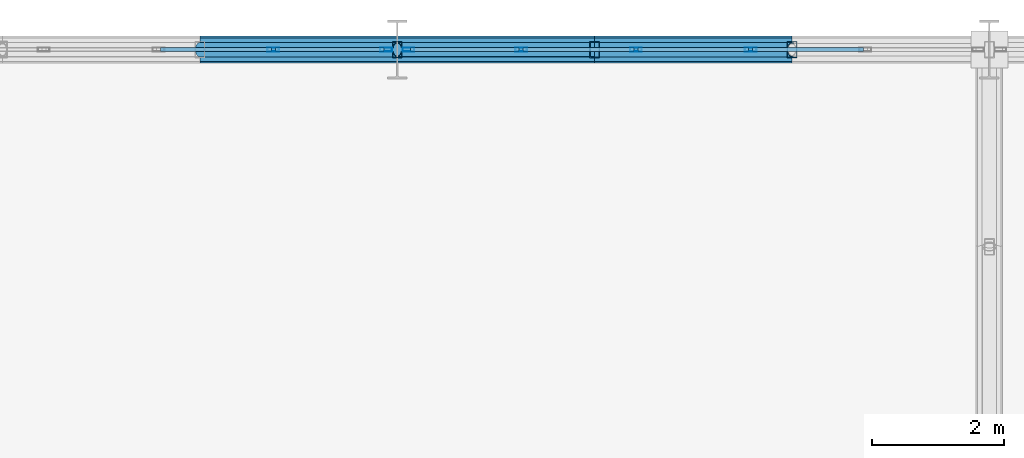
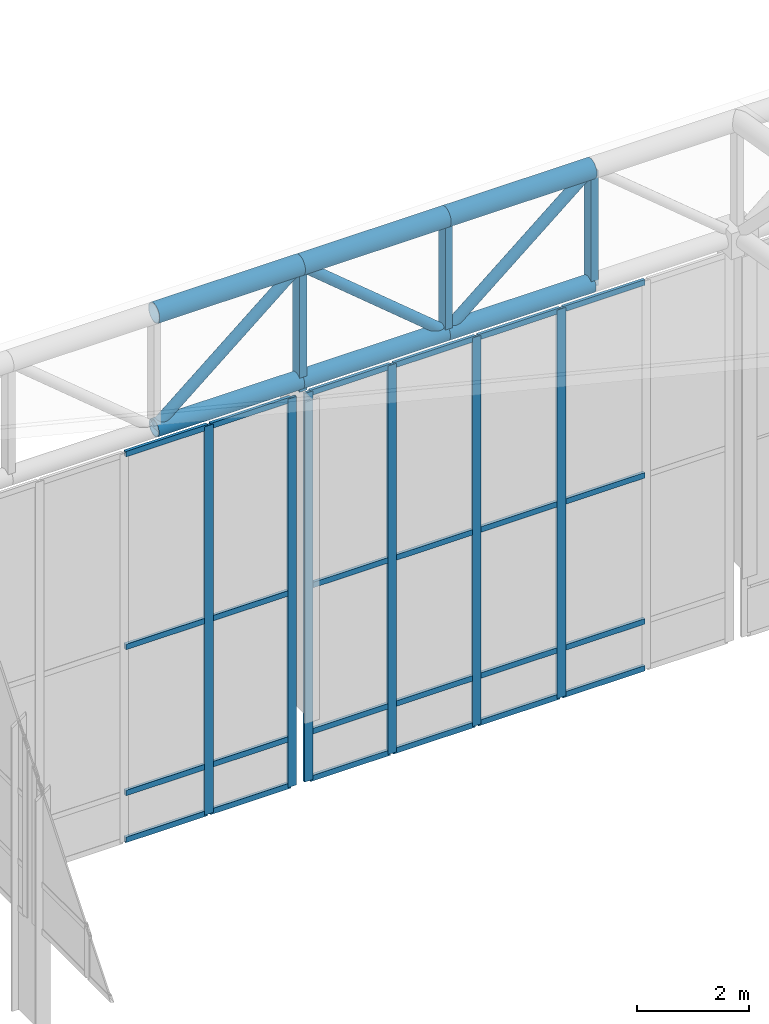
# One storey, part 103 of 239: 42 members, 2 elements without a shape of their own.
"""IFC4 building model written with IfcOpenShell, lengths in metres."""

import ifcopenshell
import ifcopenshell.guid

model = None  # the IFC model being written
_history = None  # IfcOwnerHistory: only IFC2X3 demands one
_inside = {}  # id of a spatial element -> (the spatial element, [elements in it])
_under = {}  # id of a project, library or spatial element -> (it, [spatial elements below it])
_declared = {}  # id of a project -> (the project, [libraries it declares])
_typed = {}  # id of a type object -> (the type object, [elements of that type])
_made_of = {}  # id of a material, layer set ... -> (it, [elements and type objects made of it])


def new_model(schema):
    """Start an empty IFC model of exactly this schema.

    Asked for "IFC4X3", IfcOpenShell would pick the latest addendum, in which some entities
    have other attributes; the version numbers below select the first issue.
    IFC2X3 requires an IfcOwnerHistory on every rooted entity: one is made here for all.
    """
    global model, _history
    if schema == "IFC4X3":
        model = ifcopenshell.file(schema_version=(4, 3, 0, 0))
    else:
        model = ifcopenshell.file(schema=schema)
    _inside.clear()
    _under.clear()
    _declared.clear()
    _typed.clear()
    _made_of.clear()
    _history = None
    if model.schema == "IFC2X3":
        org = make("IfcOrganization", Name="unknown")
        user = make(
            "IfcPersonAndOrganization",
            ThePerson=make("IfcPerson", FamilyName="unknown"),
            TheOrganization=org,
        )
        app = make(
            "IfcApplication",
            ApplicationDeveloper=org,
            Version="unknown",
            ApplicationFullName="unknown",
            ApplicationIdentifier="unknown",
        )
        _history = make(
            "IfcOwnerHistory",
            OwningUser=user,
            OwningApplication=app,
            ChangeAction="ADDED",
            CreationDate=0,
        )
    return model


def make(cls, **values):
    """One entity of the class cls with the attributes given. An attribute that is None is left unset."""
    return model.create_entity(
        cls, **{name: value for name, value in values.items() if value is not None}
    )


def rooted(cls, **values):
    """An entity with a GlobalId (a new one), such as an element, a storey or a relation."""
    return make(cls, GlobalId=ifcopenshell.guid.new(), OwnerHistory=_history, **values)


def si_unit(unit_type, name, prefix=None):
    """IfcSIUnit, for example si_unit("LENGTHUNIT", "METRE", prefix="MILLI")."""
    return make("IfcSIUnit", UnitType=unit_type, Prefix=prefix, Name=name)


def assignment(units):
    """IfcUnitAssignment: the units of a project."""
    return None if units is None else make("IfcUnitAssignment", Units=units)


def point(xyz):
    """IfcCartesianPoint."""
    return None if xyz is None else make("IfcCartesianPoint", Coordinates=xyz)


def direction(xyz):
    """IfcDirection."""
    return None if xyz is None else make("IfcDirection", DirectionRatios=xyz)


def frame(location, z_axis=None, x_axis=None):
    """IfcAxis2Placement3D, a coordinate frame: its origin and axes. An axis left out is left unset."""
    return make(
        "IfcAxis2Placement3D",
        Location=point(location),
        Axis=direction(z_axis),
        RefDirection=direction(x_axis),
    )


def frame_2d(location, x_axis=None):
    """IfcAxis2Placement2D, a coordinate frame in the plane: its origin and x axis."""
    return make(
        "IfcAxis2Placement2D", Location=point(location), RefDirection=direction(x_axis)
    )


def origin():
    """The frame at (0, 0, 0) with its axes left unset."""
    return frame((0.0, 0.0, 0.0))


def origin_2d():
    """The frame at (0, 0) in the plane with its x axis left unset."""
    return frame_2d((0.0, 0.0))


def place(relative_to, where):
    """IfcLocalPlacement: puts the frame where relative to a parent placement (None: the world)."""
    return make(
        "IfcLocalPlacement", PlacementRelTo=relative_to, RelativePlacement=where
    )


def context(
    kind, dimensions, precision=None, world=None, true_north=None, identifier=None
):
    """IfcGeometricRepresentationContext, for example the 3D "Model" context."""
    return make(
        "IfcGeometricRepresentationContext",
        ContextIdentifier=identifier,
        ContextType=kind,
        CoordinateSpaceDimension=dimensions,
        Precision=precision,
        WorldCoordinateSystem=world,
        TrueNorth=true_north,
    )


def subcontext(parent, identifier, kind, view, scale=None):
    """IfcGeometricRepresentationSubContext, for example "Body" below "Model"."""
    return make(
        "IfcGeometricRepresentationSubContext",
        ContextIdentifier=identifier,
        ContextType=kind,
        ParentContext=parent,
        TargetScale=scale,
        TargetView=view,
    )


def project(units=None, contexts=None):
    """IfcProject with its units and contexts."""
    return rooted(
        "IfcProject",
        Name="project",
        RepresentationContexts=contexts,
        UnitsInContext=assignment(units),
    )


def spatial(cls, under=None, at=None, **own):
    """A site, building, storey or space (cls), placed at a placement, below another one or the project."""
    s = rooted(cls, ObjectPlacement=at, **own)
    if under is not None:
        _under.setdefault(under.id(), (under, []))[1].append(s)
    return s


def profile(cls, at=None, kind="AREA", **sizes):
    """A parametric profile (cls). Its sizes go by their IFC names, for example OverallWidth=200.0."""
    return make(cls, ProfileType=kind, Position=at, **sizes)


def hollow_rectangle(**sizes):
    """IfcRectangleHollowProfileDef."""
    return profile("IfcRectangleHollowProfileDef", **sizes)


def hollow_circle(**sizes):
    """IfcCircleHollowProfileDef."""
    return profile("IfcCircleHollowProfileDef", **sizes)


def extrude(swept, where, along, depth):
    """IfcExtrudedAreaSolid: the profile swept, set in the frame where, extruded along a direction by depth."""
    return make(
        "IfcExtrudedAreaSolid",
        SweptArea=swept,
        Position=where,
        ExtrudedDirection=direction(along),
        Depth=depth,
    )


def shape(context_of_items, identifier, shape_type, items):
    """IfcShapeRepresentation: the items that make up one representation, for example the "Body"."""
    return make(
        "IfcShapeRepresentation",
        ContextOfItems=context_of_items,
        RepresentationIdentifier=identifier,
        RepresentationType=shape_type,
        Items=items,
    )


def material(Name=None, Category=None):
    """IfcMaterial."""
    return make("IfcMaterial", Name=Name, Category=Category)


def material_profile(
    of_material, cross_section, Name=None, Category=None, Priority=None
):
    """IfcMaterialProfile: a cross section and its material."""
    return make(
        "IfcMaterialProfile",
        Name=Name,
        Material=of_material,
        Profile=cross_section,
        Priority=Priority,
        Category=Category,
    )


def profile_set(profiles, Name=None, composite=None):
    """IfcMaterialProfileSet."""
    return make(
        "IfcMaterialProfileSet",
        Name=Name,
        MaterialProfiles=profiles,
        CompositeProfile=composite,
    )


def made_of(thing, what):
    """Note that an element or type object is made of a material, layer set ...; save() writes the relation."""
    if what is not None:
        _made_of.setdefault(what.id(), (what, []))[1].append(thing)
    return thing


def type_object(cls, material=None, **own):
    """A type object (cls), such as IfcWallType, which elements share."""
    return made_of(rooted(cls, **own), material)


def element(
    cls,
    number,
    at=None,
    inside=None,
    cuts=None,
    type_object=None,
    material=None,
    context=None,
    identifier="Body",
    shape_type=None,
    held_by="IfcProductDefinitionShape",
    body=None,
    shapes=None,
    **own,
):
    """One element of the class cls, such as IfcWall. Its Tag is "e" and its number.

    at: its placement. inside: the storey or other place that contains it. cuts: it is an
    opening in that element (IfcRelVoidsElement). A single representation is given by context,
    identifier, shape_type and body (its items); several are given by shapes. held_by: the class
    of the entity that holds the representations. save() writes the other relations.
    """
    e = rooted(cls, Tag="e%d" % number, ObjectPlacement=at, **own)
    if body is not None:
        shapes = [shape(context, identifier, shape_type, body)]
    if shapes is not None:
        e.Representation = make(held_by, Representations=shapes)
    if inside is not None:
        _inside.setdefault(inside.id(), (inside, []))[1].append(e)
    if cuts is not None:
        rooted(
            "IfcRelVoidsElement", RelatingBuildingElement=cuts, RelatedOpeningElement=e
        )
    if type_object is not None:
        _typed.setdefault(type_object.id(), (type_object, []))[1].append(e)
    return made_of(e, material)


def aggregate(whole, parts):
    """IfcRelAggregates: a whole, such as a stair, and the parts it consists of."""
    return rooted("IfcRelAggregates", RelatingObject=whole, RelatedObjects=parts)


def save(model, path):
    """Write the relations noted so far, then the file.

    IfcRelAggregates (storeys below a building ...), IfcRelContainedInSpatialStructure (elements
    in a storey), IfcRelDefinesByType, IfcRelAssociatesMaterial and IfcRelDeclares: one each for
    every whole, place, type object, material and project.
    """
    for whole, parts in _under.values():
        aggregate(whole, parts)
    for where, things in _inside.values():
        rooted(
            "IfcRelContainedInSpatialStructure",
            RelatedElements=things,
            RelatingStructure=where,
        )
    for kind, things in _typed.values():
        rooted("IfcRelDefinesByType", RelatedObjects=things, RelatingType=kind)
    for what, things in _made_of.values():
        rooted("IfcRelAssociatesMaterial", RelatedObjects=things, RelatingMaterial=what)
    for by, libraries in _declared.values():
        rooted("IfcRelDeclares", RelatingContext=by, RelatedDefinitions=libraries)
    model.write(path)


model = new_model("IFC4")

# Units and contexts
model_context = context("Model", 3, precision=1e-05, world=origin(), true_north=direction((0.0, 1.0)))
body_context = subcontext(model_context, "Body", "Model", "MODEL_VIEW")
ifc_project = project(units=[si_unit("LENGTHUNIT", "METRE"), si_unit("AREAUNIT", "SQUARE_METRE"), si_unit("VOLUMEUNIT", "CUBIC_METRE"), si_unit("PLANEANGLEUNIT", "RADIAN"), si_unit("MASSUNIT", "GRAM", prefix="KILO")], contexts=[model_context])

# Site, building, storey
site_placement = place(None, origin())
site = spatial("IfcSite", under=ifc_project, at=site_placement, CompositionType="ELEMENT")
building_placement = place(site_placement, origin())
building = spatial("IfcBuilding", under=site, at=building_placement, Name="Kaldris Quays Convention Centre", CompositionType="ELEMENT")
storey_placement = place(building_placement, frame((0.0, 0.0, 11.39990234375)))
storey = spatial("IfcBuildingStorey", under=building, at=storey_placement, Name="L02", CompositionType="ELEMENT", Elevation=11.39990234375)

# Curtain wall, members
ifc_material_1 = material(Name="Anodized aluminium AW-6060 and triple glazing", Category="aluminium")
curtain_wall_type = type_object("IfcCurtainWallType", Name="UNITISED CURTAIN WALL CW03", PredefinedType="NOTDEFINED", material=ifc_material_1)
curtain_wall_1_placement = place(storey_placement, origin())
curtain_wall_1 = element("IfcCurtainWall", 1, at=curtain_wall_1_placement, inside=storey, type_object=curtain_wall_type, Name="L02 Unitised Curtain Wall CW03 228", PredefinedType="NOTDEFINED")
ifc_material_2 = material(Name="Anodized aluminium AW-6060", Category="aluminium")
ifc_material_profile_1 = material_profile(ifc_material_2, hollow_rectangle(XDim=0.06005859375, YDim=0.179931640625, WallThickness=0.0048828125, at=origin_2d()), Name="RHS 180x60x5")
ifc_profile_set_1 = profile_set([ifc_material_profile_1], Name="Anodized aluminium AW-6060")
member_type_1 = type_object("IfcMemberType", Name="CURTAIN MULLION CWM2", PredefinedType="MULLION", material=ifc_profile_set_1)
member_1_placement = place(storey_placement, frame((27.115966796875, 140.0, -1.60498046875), z_axis=(0.0, 0.0, 1.0), x_axis=(0.0, 1.0, 0.0)))
member_1 = element("IfcMember", 2, at=member_1_placement, type_object=member_type_1, Name="CW03 mullion 5", PredefinedType="MULLION", context=body_context, shape_type="SweptSolid", body=[
    extrude(hollow_rectangle(XDim=0.06005859375, YDim=0.179931640625, WallThickness=0.0048828125, at=origin_2d()), origin(), (0.0, 0.0, 1.0), 8.455078125),
])
member_2_placement = place(storey_placement, frame((28.830078125, 140.0, -1.60498046875), z_axis=(0.0, 0.0, 1.0), x_axis=(0.0, 1.0, 0.0)))
member_2 = element("IfcMember", 3, at=member_2_placement, type_object=member_type_1, Name="CW03 mullion 6", PredefinedType="MULLION", context=body_context, shape_type="SweptSolid", body=[
    extrude(hollow_rectangle(XDim=0.06005859375, YDim=0.179931640625, WallThickness=0.0048828125, at=origin_2d()), origin(), (0.0, 0.0, 1.0), 8.455078125),
])

curtain_wall_2_placement = place(storey_placement, origin())
curtain_wall_2 = element("IfcCurtainWall", 4, at=curtain_wall_2_placement, inside=storey, type_object=curtain_wall_type, Name="L02 Unitised Curtain Wall CW03 230", PredefinedType="NOTDEFINED")
member_3_placement = place(storey_placement, frame((29.169921875, 140.0, -1.60498046875), z_axis=(0.0, 0.0, 1.0), x_axis=(0.0, 1.0, 0.0)))
member_3 = element("IfcMember", 5, at=member_3_placement, type_object=member_type_1, Name="CW03 mullion 1", PredefinedType="MULLION", context=body_context, shape_type="SweptSolid", body=[
    extrude(hollow_rectangle(XDim=0.06005859375, YDim=0.179931640625, WallThickness=0.0048828125, at=origin_2d()), origin(), (0.0, 0.0, 1.0), 8.455078125),
])
member_4_placement = place(storey_placement, frame((30.884033203125, 140.0, -1.60498046875), z_axis=(0.0, 0.0, 1.0), x_axis=(0.0, 1.0, 0.0)))
member_4 = element("IfcMember", 6, at=member_4_placement, type_object=member_type_1, Name="CW03 mullion 2", PredefinedType="MULLION", context=body_context, shape_type="SweptSolid", body=[
    extrude(hollow_rectangle(XDim=0.06005859375, YDim=0.179931640625, WallThickness=0.0048828125, at=origin_2d()), origin(), (0.0, 0.0, 1.0), 8.455078125),
])
member_5_placement = place(storey_placement, frame((32.6279296875, 140.0, -1.60498046875), z_axis=(0.0, 0.0, 1.0), x_axis=(0.0, 1.0, 0.0)))
member_5 = element("IfcMember", 7, at=member_5_placement, type_object=member_type_1, Name="CW03 mullion 3", PredefinedType="MULLION", context=body_context, shape_type="SweptSolid", body=[
    extrude(hollow_rectangle(XDim=0.06005859375, YDim=0.179931640625, WallThickness=0.0048828125, at=origin_2d()), origin(), (0.0, 0.0, 1.0), 8.455078125),
])
member_6_placement = place(storey_placement, frame((34.3720703125, 140.0, -1.60498046875), z_axis=(0.0, 0.0, 1.0), x_axis=(0.0, 1.0, 0.0)))
member_6 = element("IfcMember", 8, at=member_6_placement, type_object=member_type_1, Name="CW03 mullion 4", PredefinedType="MULLION", context=body_context, shape_type="SweptSolid", body=[
    extrude(hollow_rectangle(XDim=0.06005859375, YDim=0.179931640625, WallThickness=0.0048828125, at=origin_2d()), origin(), (0.0, 0.0, 1.0), 8.455078125),
])

# Member
ifc_material_profile_2 = material_profile(ifc_material_2, hollow_rectangle(XDim=0.06005859375, YDim=0.1201171875, WallThickness=0.00390625, at=origin_2d()), Name="RHS 120x60x4")
ifc_profile_set_2 = profile_set([ifc_material_profile_2], Name="Anodized aluminium AW-6060")
member_type_2 = type_object("IfcMemberType", Name="CURTAIN TRANSOM CWT1", PredefinedType="USERDEFINED", material=ifc_profile_set_2)
member_7_placement = place(storey_placement, frame((25.402099609375, 140.0, -1.574951171875), z_axis=(1.0, 0.0, 0.0), x_axis=(0.0, 1.0, 0.0)))
member_7 = element("IfcMember", 9, at=member_7_placement, type_object=member_type_2, Name="CW03 transom 4.1", ObjectType="TRANSOM", PredefinedType="USERDEFINED", context=body_context, shape_type="SweptSolid", body=[
    extrude(hollow_rectangle(XDim=0.06005859375, YDim=0.1201171875, WallThickness=0.00390625, at=origin_2d()), origin(), (0.0, 0.0, 1.0), 1.683837890625),
])

member_8_placement = place(storey_placement, frame((25.402099609375, 140.0, -0.554931640625), z_axis=(1.0, 0.0, 0.0), x_axis=(0.0, 1.0, 0.0)))
member_8 = element("IfcMember", 10, at=member_8_placement, type_object=member_type_2, Name="CW03 transom 4.2", ObjectType="TRANSOM", PredefinedType="USERDEFINED", context=body_context, shape_type="SweptSolid", body=[
    extrude(hollow_rectangle(XDim=0.06005859375, YDim=0.1201171875, WallThickness=0.00390625, at=origin_2d()), origin(), (0.0, 0.0, 1.0), 1.683837890625),
])

member_9_placement = place(storey_placement, frame((25.402099609375, 140.0, 2.623046875), z_axis=(1.0, 0.0, 0.0), x_axis=(0.0, 1.0, 0.0)))
member_9 = element("IfcMember", 11, at=member_9_placement, type_object=member_type_2, Name="CW03 transom 4.3", ObjectType="TRANSOM", PredefinedType="USERDEFINED", context=body_context, shape_type="SweptSolid", body=[
    extrude(hollow_rectangle(XDim=0.06005859375, YDim=0.1201171875, WallThickness=0.00390625, at=origin_2d()), origin(), (0.0, 0.0, 1.0), 1.683837890625),
])

member_10_placement = place(storey_placement, frame((25.402099609375, 140.0, 6.820068359375), z_axis=(1.0, 0.0, 0.0), x_axis=(0.0, 1.0, 0.0)))
member_10 = element("IfcMember", 12, at=member_10_placement, type_object=member_type_2, Name="CW03 transom 4.4", ObjectType="TRANSOM", PredefinedType="USERDEFINED", context=body_context, shape_type="SweptSolid", body=[
    extrude(hollow_rectangle(XDim=0.06005859375, YDim=0.1201171875, WallThickness=0.00390625, at=origin_2d()), origin(), (0.0, 0.0, 1.0), 1.683837890625),
])

member_11_placement = place(storey_placement, frame((27.14599609375, 140.0, -1.574951171875), z_axis=(1.0, 0.0, 0.0), x_axis=(0.0, 1.0, 0.0)))
member_11 = element("IfcMember", 13, at=member_11_placement, type_object=member_type_2, Name="CW03 transom 5.1", ObjectType="TRANSOM", PredefinedType="USERDEFINED", context=body_context, shape_type="SweptSolid", body=[
    extrude(hollow_rectangle(XDim=0.06005859375, YDim=0.1201171875, WallThickness=0.00390625, at=origin_2d()), origin(), (0.0, 0.0, 1.0), 1.654052734375),
])

member_12_placement = place(storey_placement, frame((27.14599609375, 140.0, -0.554931640625), z_axis=(1.0, 0.0, 0.0), x_axis=(0.0, 1.0, 0.0)))
member_12 = element("IfcMember", 14, at=member_12_placement, type_object=member_type_2, Name="CW03 transom 5.2", ObjectType="TRANSOM", PredefinedType="USERDEFINED", context=body_context, shape_type="SweptSolid", body=[
    extrude(hollow_rectangle(XDim=0.06005859375, YDim=0.1201171875, WallThickness=0.00390625, at=origin_2d()), origin(), (0.0, 0.0, 1.0), 1.654052734375),
])

member_13_placement = place(storey_placement, frame((27.14599609375, 140.0, 2.623046875), z_axis=(1.0, 0.0, 0.0), x_axis=(0.0, 1.0, 0.0)))
member_13 = element("IfcMember", 15, at=member_13_placement, type_object=member_type_2, Name="CW03 transom 5.3", ObjectType="TRANSOM", PredefinedType="USERDEFINED", context=body_context, shape_type="SweptSolid", body=[
    extrude(hollow_rectangle(XDim=0.06005859375, YDim=0.1201171875, WallThickness=0.00390625, at=origin_2d()), origin(), (0.0, 0.0, 1.0), 1.654052734375),
])

member_14_placement = place(storey_placement, frame((27.14599609375, 140.0, 6.820068359375), z_axis=(1.0, 0.0, 0.0), x_axis=(0.0, 1.0, 0.0)))
member_14 = element("IfcMember", 16, at=member_14_placement, type_object=member_type_2, Name="CW03 transom 5.4", ObjectType="TRANSOM", PredefinedType="USERDEFINED", context=body_context, shape_type="SweptSolid", body=[
    extrude(hollow_rectangle(XDim=0.06005859375, YDim=0.1201171875, WallThickness=0.00390625, at=origin_2d()), origin(), (0.0, 0.0, 1.0), 1.654052734375),
])

aggregate(curtain_wall_1, [member_1, member_2, member_7, member_8, member_9, member_10, member_11, member_12, member_13, member_14])

member_15_placement = place(storey_placement, frame((29.199951171875, 140.0, -1.574951171875), z_axis=(1.0, 0.0, 0.0), x_axis=(0.0, 1.0, 0.0)))
member_15 = element("IfcMember", 17, at=member_15_placement, type_object=member_type_2, Name="CW03 transom 1.1", ObjectType="TRANSOM", PredefinedType="USERDEFINED", context=body_context, shape_type="SweptSolid", body=[
    extrude(hollow_rectangle(XDim=0.06005859375, YDim=0.1201171875, WallThickness=0.00390625, at=origin_2d()), origin(), (0.0, 0.0, 1.0), 1.654052734375),
])

member_16_placement = place(storey_placement, frame((29.199951171875, 140.0, -0.554931640625), z_axis=(1.0, 0.0, 0.0), x_axis=(0.0, 1.0, 0.0)))
member_16 = element("IfcMember", 18, at=member_16_placement, type_object=member_type_2, Name="CW03 transom 1.2", ObjectType="TRANSOM", PredefinedType="USERDEFINED", context=body_context, shape_type="SweptSolid", body=[
    extrude(hollow_rectangle(XDim=0.06005859375, YDim=0.1201171875, WallThickness=0.00390625, at=origin_2d()), origin(), (0.0, 0.0, 1.0), 1.654052734375),
])

member_17_placement = place(storey_placement, frame((29.199951171875, 140.0, 2.623046875), z_axis=(1.0, 0.0, 0.0), x_axis=(0.0, 1.0, 0.0)))
member_17 = element("IfcMember", 19, at=member_17_placement, type_object=member_type_2, Name="CW03 transom 1.3", ObjectType="TRANSOM", PredefinedType="USERDEFINED", context=body_context, shape_type="SweptSolid", body=[
    extrude(hollow_rectangle(XDim=0.06005859375, YDim=0.1201171875, WallThickness=0.00390625, at=origin_2d()), origin(), (0.0, 0.0, 1.0), 1.654052734375),
])

member_18_placement = place(storey_placement, frame((29.199951171875, 140.0, 6.820068359375), z_axis=(1.0, 0.0, 0.0), x_axis=(0.0, 1.0, 0.0)))
member_18 = element("IfcMember", 20, at=member_18_placement, type_object=member_type_2, Name="CW03 transom 1.4", ObjectType="TRANSOM", PredefinedType="USERDEFINED", context=body_context, shape_type="SweptSolid", body=[
    extrude(hollow_rectangle(XDim=0.06005859375, YDim=0.1201171875, WallThickness=0.00390625, at=origin_2d()), origin(), (0.0, 0.0, 1.0), 1.654052734375),
])

member_19_placement = place(storey_placement, frame((30.9140625, 140.0, -1.574951171875), z_axis=(1.0, 0.0, 0.0), x_axis=(0.0, 1.0, 0.0)))
member_19 = element("IfcMember", 21, at=member_19_placement, type_object=member_type_2, Name="CW03 transom 2.1", ObjectType="TRANSOM", PredefinedType="USERDEFINED", context=body_context, shape_type="SweptSolid", body=[
    extrude(hollow_rectangle(XDim=0.06005859375, YDim=0.1201171875, WallThickness=0.00390625, at=origin_2d()), origin(), (0.0, 0.0, 1.0), 1.683837890625),
])

member_20_placement = place(storey_placement, frame((30.9140625, 140.0, -0.554931640625), z_axis=(1.0, 0.0, 0.0), x_axis=(0.0, 1.0, 0.0)))
member_20 = element("IfcMember", 22, at=member_20_placement, type_object=member_type_2, Name="CW03 transom 2.2", ObjectType="TRANSOM", PredefinedType="USERDEFINED", context=body_context, shape_type="SweptSolid", body=[
    extrude(hollow_rectangle(XDim=0.06005859375, YDim=0.1201171875, WallThickness=0.00390625, at=origin_2d()), origin(), (0.0, 0.0, 1.0), 1.683837890625),
])

member_21_placement = place(storey_placement, frame((30.9140625, 140.0, 2.623046875), z_axis=(1.0, 0.0, 0.0), x_axis=(0.0, 1.0, 0.0)))
member_21 = element("IfcMember", 23, at=member_21_placement, type_object=member_type_2, Name="CW03 transom 2.3", ObjectType="TRANSOM", PredefinedType="USERDEFINED", context=body_context, shape_type="SweptSolid", body=[
    extrude(hollow_rectangle(XDim=0.06005859375, YDim=0.1201171875, WallThickness=0.00390625, at=origin_2d()), origin(), (0.0, 0.0, 1.0), 1.683837890625),
])

member_22_placement = place(storey_placement, frame((30.9140625, 140.0, 6.820068359375), z_axis=(1.0, 0.0, 0.0), x_axis=(0.0, 1.0, 0.0)))
member_22 = element("IfcMember", 24, at=member_22_placement, type_object=member_type_2, Name="CW03 transom 2.4", ObjectType="TRANSOM", PredefinedType="USERDEFINED", context=body_context, shape_type="SweptSolid", body=[
    extrude(hollow_rectangle(XDim=0.06005859375, YDim=0.1201171875, WallThickness=0.00390625, at=origin_2d()), origin(), (0.0, 0.0, 1.0), 1.683837890625),
])

member_23_placement = place(storey_placement, frame((32.657958984375, 140.0, -1.574951171875), z_axis=(1.0, 0.0, 0.0), x_axis=(0.0, 1.0, 0.0)))
member_23 = element("IfcMember", 25, at=member_23_placement, type_object=member_type_2, Name="CW03 transom 3.1", ObjectType="TRANSOM", PredefinedType="USERDEFINED", context=body_context, shape_type="SweptSolid", body=[
    extrude(hollow_rectangle(XDim=0.06005859375, YDim=0.1201171875, WallThickness=0.00390625, at=origin_2d()), origin(), (0.0, 0.0, 1.0), 1.68408203125),
])

member_24_placement = place(storey_placement, frame((32.657958984375, 140.0, -0.554931640625), z_axis=(1.0, 0.0, 0.0), x_axis=(0.0, 1.0, 0.0)))
member_24 = element("IfcMember", 26, at=member_24_placement, type_object=member_type_2, Name="CW03 transom 3.2", ObjectType="TRANSOM", PredefinedType="USERDEFINED", context=body_context, shape_type="SweptSolid", body=[
    extrude(hollow_rectangle(XDim=0.06005859375, YDim=0.1201171875, WallThickness=0.00390625, at=origin_2d()), origin(), (0.0, 0.0, 1.0), 1.68408203125),
])

member_25_placement = place(storey_placement, frame((32.657958984375, 140.0, 2.623046875), z_axis=(1.0, 0.0, 0.0), x_axis=(0.0, 1.0, 0.0)))
member_25 = element("IfcMember", 27, at=member_25_placement, type_object=member_type_2, Name="CW03 transom 3.3", ObjectType="TRANSOM", PredefinedType="USERDEFINED", context=body_context, shape_type="SweptSolid", body=[
    extrude(hollow_rectangle(XDim=0.06005859375, YDim=0.1201171875, WallThickness=0.00390625, at=origin_2d()), origin(), (0.0, 0.0, 1.0), 1.68408203125),
])

member_26_placement = place(storey_placement, frame((32.657958984375, 140.0, 6.820068359375), z_axis=(1.0, 0.0, 0.0), x_axis=(0.0, 1.0, 0.0)))
member_26 = element("IfcMember", 28, at=member_26_placement, type_object=member_type_2, Name="CW03 transom 3.4", ObjectType="TRANSOM", PredefinedType="USERDEFINED", context=body_context, shape_type="SweptSolid", body=[
    extrude(hollow_rectangle(XDim=0.06005859375, YDim=0.1201171875, WallThickness=0.00390625, at=origin_2d()), origin(), (0.0, 0.0, 1.0), 1.68408203125),
])

member_27_placement = place(storey_placement, frame((34.402099609375, 140.0, -1.574951171875), z_axis=(1.0, 0.0, 0.0), x_axis=(0.0, 1.0, 0.0)))
member_27 = element("IfcMember", 29, at=member_27_placement, type_object=member_type_2, Name="CW03 transom 4.1", ObjectType="TRANSOM", PredefinedType="USERDEFINED", context=body_context, shape_type="SweptSolid", body=[
    extrude(hollow_rectangle(XDim=0.06005859375, YDim=0.1201171875, WallThickness=0.00390625, at=origin_2d()), origin(), (0.0, 0.0, 1.0), 1.683837890625),
])

member_28_placement = place(storey_placement, frame((34.402099609375, 140.0, -0.554931640625), z_axis=(1.0, 0.0, 0.0), x_axis=(0.0, 1.0, 0.0)))
member_28 = element("IfcMember", 30, at=member_28_placement, type_object=member_type_2, Name="CW03 transom 4.2", ObjectType="TRANSOM", PredefinedType="USERDEFINED", context=body_context, shape_type="SweptSolid", body=[
    extrude(hollow_rectangle(XDim=0.06005859375, YDim=0.1201171875, WallThickness=0.00390625, at=origin_2d()), origin(), (0.0, 0.0, 1.0), 1.683837890625),
])

member_29_placement = place(storey_placement, frame((34.402099609375, 140.0, 2.623046875), z_axis=(1.0, 0.0, 0.0), x_axis=(0.0, 1.0, 0.0)))
member_29 = element("IfcMember", 31, at=member_29_placement, type_object=member_type_2, Name="CW03 transom 4.3", ObjectType="TRANSOM", PredefinedType="USERDEFINED", context=body_context, shape_type="SweptSolid", body=[
    extrude(hollow_rectangle(XDim=0.06005859375, YDim=0.1201171875, WallThickness=0.00390625, at=origin_2d()), origin(), (0.0, 0.0, 1.0), 1.683837890625),
])

member_30_placement = place(storey_placement, frame((34.402099609375, 140.0, 6.820068359375), z_axis=(1.0, 0.0, 0.0), x_axis=(0.0, 1.0, 0.0)))
member_30 = element("IfcMember", 32, at=member_30_placement, type_object=member_type_2, Name="CW03 transom 4.4", ObjectType="TRANSOM", PredefinedType="USERDEFINED", context=body_context, shape_type="SweptSolid", body=[
    extrude(hollow_rectangle(XDim=0.06005859375, YDim=0.1201171875, WallThickness=0.00390625, at=origin_2d()), origin(), (0.0, 0.0, 1.0), 1.683837890625),
])

aggregate(curtain_wall_2, [member_3, member_4, member_5, member_6, member_15, member_16, member_17, member_18, member_19, member_20, member_21, member_22, member_23, member_24, member_25, member_26, member_27, member_28, member_29, member_30])

# Members
ifc_material_3 = material(Name="Steel S355J2H", Category="steel")
ifc_material_profile_3 = material_profile(ifc_material_3, hollow_circle(Radius=0.203125, WallThickness=0.01611328125, at=origin_2d()), Name="CHS 406.4x16")
ifc_profile_set_3 = profile_set([ifc_material_profile_3], Name="Steel S355J2H")
member_type_3 = type_object("IfcMemberType", Name="STRUCTURAL MEMBER SC01", PredefinedType="CHORD", material=ifc_profile_set_3)
for number, where, z_axis, x_axis, name in (
    (33, (26.0, 140.0, 9.671875), (1.0, 0.0, 0.0), (0.0, 1.0, 0.0), "SF-V1 Top Chord X 297"),
    (34, (29.0, 140.0, 9.671875), (1.0, 0.0, 0.0), (0.0, 1.0, 0.0), "SF-V1 Top Chord X 298"),
    (35, (32.0, 140.0, 9.671875), (1.0, 0.0, 0.0), (0.0, 1.0, 0.0), "SF-V1 Top Chord X 299"),
):
    element("IfcMember", number, at=place(storey_placement, frame(where, z_axis=z_axis, x_axis=x_axis)), inside=storey, type_object=member_type_3, Name=name, PredefinedType="CHORD", context=body_context, shape_type="SweptSolid", body=[
        extrude(hollow_circle(Radius=0.203125, WallThickness=0.01611328125, at=origin_2d()), origin(), (0.0, 0.0, 1.0), 3.0),
    ])
ifc_material_profile_4 = material_profile(ifc_material_3, hollow_circle(Radius=0.177734375, WallThickness=0.01611328125, at=origin_2d()), Name="CHS 355.6x16")
ifc_profile_set_4 = profile_set([ifc_material_profile_4], Name="Steel S355J2H")
member_type_4 = type_object("IfcMemberType", Name="STRUCTURAL MEMBER SC02", PredefinedType="CHORD", material=ifc_profile_set_4)
for number, where, z_axis, x_axis, name in (
    (36, (26.0, 140.0, 7.171875), (1.0, 0.0, 0.0), (0.0, 1.0, 0.0), "SF-V1 Bottom Chord X 297"),
    (37, (29.0, 140.0, 7.171875), (1.0, 0.0, 0.0), (0.0, 1.0, 0.0), "SF-V1 Bottom Chord X 298"),
    (38, (32.0, 140.0, 7.171875), (1.0, 0.0, 0.0), (0.0, 1.0, 0.0), "SF-V1 Bottom Chord X 299"),
):
    element("IfcMember", number, at=place(storey_placement, frame(where, z_axis=z_axis, x_axis=x_axis)), inside=storey, type_object=member_type_4, Name=name, PredefinedType="CHORD", context=body_context, shape_type="SweptSolid", body=[
        extrude(hollow_circle(Radius=0.177734375, WallThickness=0.01611328125, at=origin_2d()), origin(), (0.0, 0.0, 1.0), 3.0),
    ])
ifc_material_profile_5 = material_profile(ifc_material_3, hollow_circle(Radius=0.109619140625, WallThickness=0.010009765625, at=origin_2d()), Name="CHS 219.1x10")
ifc_profile_set_5 = profile_set([ifc_material_profile_5], Name="Steel S355J2H")
member_type_5 = type_object("IfcMemberType", Name="STRUCTURAL MEMBER SWB1", PredefinedType="BRACE", material=ifc_profile_set_5)
for number, where, z_axis, x_axis, name in (
    (39, (26.0, 140.0, 7.171875), (0.768221279597, 0.0, 0.640184399664), (0.0, 1.0, 0.0), "SF-V1 Web Diagonal X 297"),
    (40, (32.0, 140.0, 7.171875), (-0.768221279597, 0.0, 0.640184399664), (0.0, -1.0, 0.0), "SF-V1 Web Diagonal X 298"),
    (41, (32.0, 140.0, 7.171875), (0.768221279597, 0.0, 0.640184399664), (0.0, 1.0, 0.0), "SF-V1 Web Diagonal X 299"),
):
    element("IfcMember", number, at=place(storey_placement, frame(where, z_axis=z_axis, x_axis=x_axis)), inside=storey, type_object=member_type_5, Name=name, PredefinedType="BRACE", context=body_context, shape_type="SweptSolid", body=[
        extrude(hollow_circle(Radius=0.109619140625, WallThickness=0.010009765625, at=origin_2d()), origin(), (0.0, 0.0, 1.0), 3.905029296875),
    ])
ifc_material_profile_6 = material_profile(ifc_material_3, hollow_rectangle(XDim=0.14990234375, YDim=0.25, WallThickness=0.010009765625, at=origin_2d()), Name="RHS 250x150x10")
ifc_profile_set_6 = profile_set([ifc_material_profile_6], Name="Steel S355J2H")
member_type_6 = type_object("IfcMemberType", Name="STRUCTURAL MEMBER TTV1", PredefinedType="POST", material=ifc_profile_set_6)
member_31_placement = place(storey_placement, frame((29.0, 140.0, 6.994140625), z_axis=(0.0, 0.0, 1.0), x_axis=(1.0, 0.0, 0.0)))
element("IfcMember", 42, at=member_31_placement, inside=storey, type_object=member_type_6, Name="SF-V1 Space-Frame Post 53", PredefinedType="POST", context=body_context, shape_type="SweptSolid", body=[
    extrude(hollow_rectangle(XDim=0.14990234375, YDim=0.25, WallThickness=0.010009765625, at=origin_2d()), origin(), (0.0, 0.0, 1.0), 2.677734375),
])
for number, where, z_axis, x_axis, name in (
    (43, (32.0, 140.0, 7.171875), (0.0, 0.0, 1.0), (1.0, 0.0, 0.0), "SF-V1 Space-Frame Post 61"),
    (44, (35.0, 140.0, 7.171875), (0.0, 0.0, 1.0), (1.0, 0.0, 0.0), "SF-V1 Space-Frame Post 69"),
):
    element("IfcMember", number, at=place(storey_placement, frame(where, z_axis=z_axis, x_axis=x_axis)), inside=storey, type_object=member_type_6, Name=name, PredefinedType="POST", context=body_context, shape_type="SweptSolid", body=[
        extrude(hollow_rectangle(XDim=0.14990234375, YDim=0.25, WallThickness=0.010009765625, at=origin_2d()), origin(), (0.0, 0.0, 1.0), 2.5),
    ])

save(model, "model.ifc")
